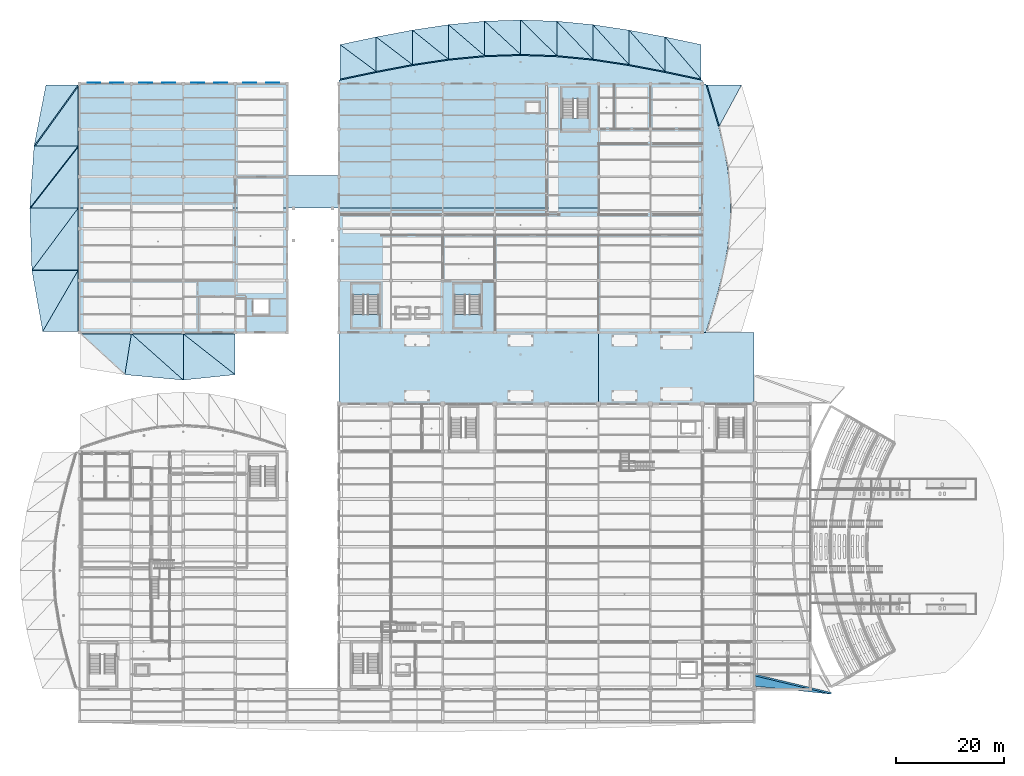
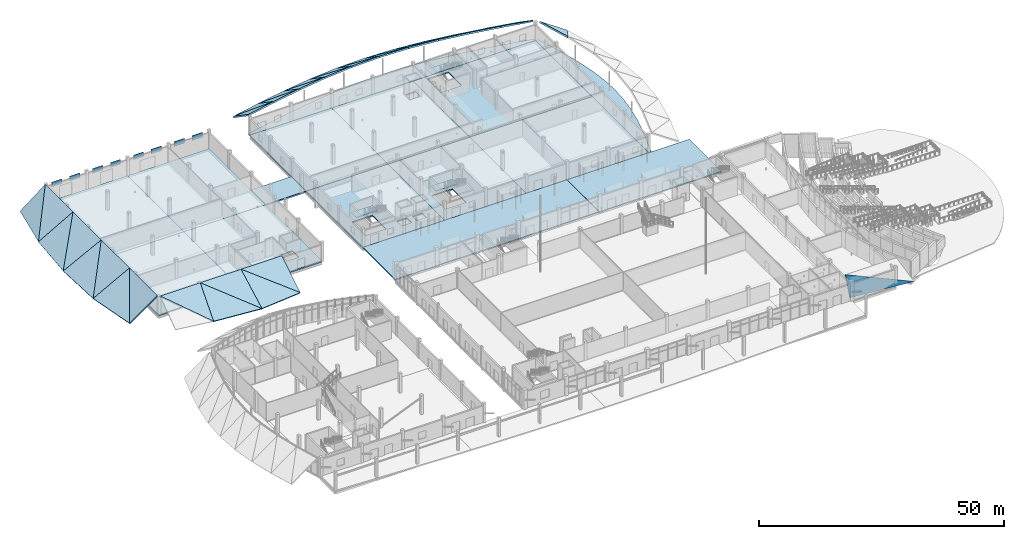
# One storey, part 68 of 116: 53 slabs, 8 plates, 3 elements without a shape of their own.
"""IFC4 building model written with IfcOpenShell, lengths in metres."""

import ifcopenshell
import ifcopenshell.guid

model = None  # the IFC model being written
_history = None  # IfcOwnerHistory: only IFC2X3 demands one
_inside = {}  # id of a spatial element -> (the spatial element, [elements in it])
_under = {}  # id of a project, library or spatial element -> (it, [spatial elements below it])
_declared = {}  # id of a project -> (the project, [libraries it declares])
_typed = {}  # id of a type object -> (the type object, [elements of that type])
_made_of = {}  # id of a material, layer set ... -> (it, [elements and type objects made of it])


def new_model(schema):
    """Start an empty IFC model of exactly this schema.

    Asked for "IFC4X3", IfcOpenShell would pick the latest addendum, in which some entities
    have other attributes; the version numbers below select the first issue.
    IFC2X3 requires an IfcOwnerHistory on every rooted entity: one is made here for all.
    """
    global model, _history
    if schema == "IFC4X3":
        model = ifcopenshell.file(schema_version=(4, 3, 0, 0))
    else:
        model = ifcopenshell.file(schema=schema)
    _inside.clear()
    _under.clear()
    _declared.clear()
    _typed.clear()
    _made_of.clear()
    _history = None
    if model.schema == "IFC2X3":
        org = make("IfcOrganization", Name="unknown")
        user = make(
            "IfcPersonAndOrganization",
            ThePerson=make("IfcPerson", FamilyName="unknown"),
            TheOrganization=org,
        )
        app = make(
            "IfcApplication",
            ApplicationDeveloper=org,
            Version="unknown",
            ApplicationFullName="unknown",
            ApplicationIdentifier="unknown",
        )
        _history = make(
            "IfcOwnerHistory",
            OwningUser=user,
            OwningApplication=app,
            ChangeAction="ADDED",
            CreationDate=0,
        )
    return model


def make(cls, **values):
    """One entity of the class cls with the attributes given. An attribute that is None is left unset."""
    return model.create_entity(
        cls, **{name: value for name, value in values.items() if value is not None}
    )


def rooted(cls, **values):
    """An entity with a GlobalId (a new one), such as an element, a storey or a relation."""
    return make(cls, GlobalId=ifcopenshell.guid.new(), OwnerHistory=_history, **values)


def si_unit(unit_type, name, prefix=None):
    """IfcSIUnit, for example si_unit("LENGTHUNIT", "METRE", prefix="MILLI")."""
    return make("IfcSIUnit", UnitType=unit_type, Prefix=prefix, Name=name)


def assignment(units):
    """IfcUnitAssignment: the units of a project."""
    return None if units is None else make("IfcUnitAssignment", Units=units)


def point(xyz):
    """IfcCartesianPoint."""
    return None if xyz is None else make("IfcCartesianPoint", Coordinates=xyz)


def direction(xyz):
    """IfcDirection."""
    return None if xyz is None else make("IfcDirection", DirectionRatios=xyz)


def frame(location, z_axis=None, x_axis=None):
    """IfcAxis2Placement3D, a coordinate frame: its origin and axes. An axis left out is left unset."""
    return make(
        "IfcAxis2Placement3D",
        Location=point(location),
        Axis=direction(z_axis),
        RefDirection=direction(x_axis),
    )


def frame_2d(location, x_axis=None):
    """IfcAxis2Placement2D, a coordinate frame in the plane: its origin and x axis."""
    return make(
        "IfcAxis2Placement2D", Location=point(location), RefDirection=direction(x_axis)
    )


def origin():
    """The frame at (0, 0, 0) with its axes left unset."""
    return frame((0.0, 0.0, 0.0))


def origin_2d():
    """The frame at (0, 0) in the plane with its x axis left unset."""
    return frame_2d((0.0, 0.0))


def place(relative_to, where):
    """IfcLocalPlacement: puts the frame where relative to a parent placement (None: the world)."""
    return make(
        "IfcLocalPlacement", PlacementRelTo=relative_to, RelativePlacement=where
    )


def context(
    kind, dimensions, precision=None, world=None, true_north=None, identifier=None
):
    """IfcGeometricRepresentationContext, for example the 3D "Model" context."""
    return make(
        "IfcGeometricRepresentationContext",
        ContextIdentifier=identifier,
        ContextType=kind,
        CoordinateSpaceDimension=dimensions,
        Precision=precision,
        WorldCoordinateSystem=world,
        TrueNorth=true_north,
    )


def subcontext(parent, identifier, kind, view, scale=None):
    """IfcGeometricRepresentationSubContext, for example "Body" below "Model"."""
    return make(
        "IfcGeometricRepresentationSubContext",
        ContextIdentifier=identifier,
        ContextType=kind,
        ParentContext=parent,
        TargetScale=scale,
        TargetView=view,
    )


def project(units=None, contexts=None):
    """IfcProject with its units and contexts."""
    return rooted(
        "IfcProject",
        Name="project",
        RepresentationContexts=contexts,
        UnitsInContext=assignment(units),
    )


def spatial(cls, under=None, at=None, **own):
    """A site, building, storey or space (cls), placed at a placement, below another one or the project."""
    s = rooted(cls, ObjectPlacement=at, **own)
    if under is not None:
        _under.setdefault(under.id(), (under, []))[1].append(s)
    return s


def polyline(points):
    """IfcPolyline through the points."""
    return make("IfcPolyline", Points=[point(p) for p in points])


def profile(cls, at=None, kind="AREA", **sizes):
    """A parametric profile (cls). Its sizes go by their IFC names, for example OverallWidth=200.0."""
    return make(cls, ProfileType=kind, Position=at, **sizes)


def rectangle(**sizes):
    """IfcRectangleProfileDef."""
    return profile("IfcRectangleProfileDef", **sizes)


def outline(outer, holes=None, kind="AREA"):
    """IfcArbitraryClosedProfileDef: a profile drawn as a closed curve; with holes, ...WithVoids."""
    if holes is None:
        return make("IfcArbitraryClosedProfileDef", ProfileType=kind, OuterCurve=outer)
    return make(
        "IfcArbitraryProfileDefWithVoids",
        ProfileType=kind,
        OuterCurve=outer,
        InnerCurves=holes,
    )


def extrude(swept, where, along, depth):
    """IfcExtrudedAreaSolid: the profile swept, set in the frame where, extruded along a direction by depth."""
    return make(
        "IfcExtrudedAreaSolid",
        SweptArea=swept,
        Position=where,
        ExtrudedDirection=direction(along),
        Depth=depth,
    )


def shape(context_of_items, identifier, shape_type, items):
    """IfcShapeRepresentation: the items that make up one representation, for example the "Body"."""
    return make(
        "IfcShapeRepresentation",
        ContextOfItems=context_of_items,
        RepresentationIdentifier=identifier,
        RepresentationType=shape_type,
        Items=items,
    )


def material(Name=None, Category=None):
    """IfcMaterial."""
    return make("IfcMaterial", Name=Name, Category=Category)


def layer(
    of_material, thickness, ventilated=None, Name=None, Category=None, Priority=None
):
    """IfcMaterialLayer: one layer of a wall or slab, of a material (None: an air gap)."""
    return make(
        "IfcMaterialLayer",
        Material=of_material,
        LayerThickness=thickness,
        IsVentilated=ventilated,
        Name=Name,
        Category=Category,
        Priority=Priority,
    )


def layer_set(layers, Name=None):
    """IfcMaterialLayerSet."""
    return make("IfcMaterialLayerSet", MaterialLayers=layers, LayerSetName=Name)


def made_of(thing, what):
    """Note that an element or type object is made of a material, layer set ...; save() writes the relation."""
    if what is not None:
        _made_of.setdefault(what.id(), (what, []))[1].append(thing)
    return thing


def type_object(cls, material=None, **own):
    """A type object (cls), such as IfcWallType, which elements share."""
    return made_of(rooted(cls, **own), material)


def element(
    cls,
    number,
    at=None,
    inside=None,
    cuts=None,
    type_object=None,
    material=None,
    context=None,
    identifier="Body",
    shape_type=None,
    held_by="IfcProductDefinitionShape",
    body=None,
    shapes=None,
    **own,
):
    """One element of the class cls, such as IfcWall. Its Tag is "e" and its number.

    at: its placement. inside: the storey or other place that contains it. cuts: it is an
    opening in that element (IfcRelVoidsElement). A single representation is given by context,
    identifier, shape_type and body (its items); several are given by shapes. held_by: the class
    of the entity that holds the representations. save() writes the other relations.
    """
    e = rooted(cls, Tag="e%d" % number, ObjectPlacement=at, **own)
    if body is not None:
        shapes = [shape(context, identifier, shape_type, body)]
    if shapes is not None:
        e.Representation = make(held_by, Representations=shapes)
    if inside is not None:
        _inside.setdefault(inside.id(), (inside, []))[1].append(e)
    if cuts is not None:
        rooted(
            "IfcRelVoidsElement", RelatingBuildingElement=cuts, RelatedOpeningElement=e
        )
    if type_object is not None:
        _typed.setdefault(type_object.id(), (type_object, []))[1].append(e)
    return made_of(e, material)


def aggregate(whole, parts):
    """IfcRelAggregates: a whole, such as a stair, and the parts it consists of."""
    return rooted("IfcRelAggregates", RelatingObject=whole, RelatedObjects=parts)


def save(model, path):
    """Write the relations noted so far, then the file.

    IfcRelAggregates (storeys below a building ...), IfcRelContainedInSpatialStructure (elements
    in a storey), IfcRelDefinesByType, IfcRelAssociatesMaterial and IfcRelDeclares: one each for
    every whole, place, type object, material and project.
    """
    for whole, parts in _under.values():
        aggregate(whole, parts)
    for where, things in _inside.values():
        rooted(
            "IfcRelContainedInSpatialStructure",
            RelatedElements=things,
            RelatingStructure=where,
        )
    for kind, things in _typed.values():
        rooted("IfcRelDefinesByType", RelatedObjects=things, RelatingType=kind)
    for what, things in _made_of.values():
        rooted("IfcRelAssociatesMaterial", RelatedObjects=things, RelatingMaterial=what)
    for by, libraries in _declared.values():
        rooted("IfcRelDeclares", RelatingContext=by, RelatedDefinitions=libraries)
    model.write(path)


model = new_model("IFC4")

# Units and contexts
model_context = context("Model", 3, precision=1e-05, world=origin(), true_north=direction((0.0, 1.0)))
body_context = subcontext(model_context, "Body", "Model", "MODEL_VIEW")
ifc_project = project(units=[si_unit("LENGTHUNIT", "METRE"), si_unit("AREAUNIT", "SQUARE_METRE"), si_unit("VOLUMEUNIT", "CUBIC_METRE"), si_unit("PLANEANGLEUNIT", "RADIAN"), si_unit("MASSUNIT", "GRAM", prefix="KILO")], contexts=[model_context])

# Site, building, storey
site_placement = place(None, origin())
site = spatial("IfcSite", under=ifc_project, at=site_placement, CompositionType="ELEMENT")
building_placement = place(site_placement, origin())
building = spatial("IfcBuilding", under=site, at=building_placement, Name="Chalmorin Arch Market", CompositionType="ELEMENT")
storey_placement = place(building_placement, origin())
storey = spatial("IfcBuildingStorey", under=building, at=storey_placement, Name="L00", CompositionType="ELEMENT", Elevation=0.0)

# Slabs
ifc_material_1 = material(Name="Concrete C40/50", Category="concrete")
ifc_layer_1 = layer(ifc_material_1, 0.340087890625)
ifc_layer_set_1 = layer_set([ifc_layer_1], Name="Concrete C40/50")
slab_type_1 = type_object("IfcSlabType", Name="GreenMoundDeckSlab-340", PredefinedType="FLOOR", material=ifc_layer_set_1)
slab_1_placement = place(storey_placement, frame((19.199951171875, 71.75, 4.780029296875), z_axis=(0.04929349976, -0.473222411519, 0.879562789184), x_axis=(0.0, -0.880633342977, -0.473798390919)))
element("IfcSlab", 1, at=slab_1_placement, inside=storey, type_object=slab_type_1, Name="ETS-340-630", PredefinedType="FLOOR", context=body_context, shape_type="SweptSolid", body=[
    extrude(outline(polyline([(0.0, 0.0), (9.708976949728454, 2.7755575615628914e-17), (8.828343606751558, 9.611782349011763), (0.0, 0.0)])), origin(), (0.0, 0.0, -1.0), 0.340087890625),
])
slab_2_placement = place(storey_placement, frame((28.800048828125, 71.75, 4.780029296875), z_axis=(0.0, -0.520311334044, 0.853976648197), x_axis=(-1.0, 0.0, 0.0)))
element("IfcSlab", 2, at=slab_2_placement, inside=storey, type_object=slab_type_1, Name="ETS-340-631", PredefinedType="FLOOR", context=body_context, shape_type="SweptSolid", body=[
    extrude(outline(polyline([(0.0, 0.0), (9.60009765625, 0.0), (0.0, 8.841048340220093), (0.0, 0.0)])), origin(), (0.0, 0.0, -1.0), 0.340087890625),
])
slab_3_placement = place(storey_placement, frame((9.60009765625, 71.75, 4.780029296875), z_axis=(-0.047610063154, -0.514191006768, 0.856353250969), x_axis=(-0.134518752667, -0.846214895489, -0.515582249339)))
element("IfcSlab", 3, at=slab_3_placement, inside=storey, type_object=slab_type_1, Name="ETS-340-632", PredefinedType="FLOOR", context=body_context, shape_type="SweptSolid", body=[
    extrude(outline(polyline([(0.0, 0.0), (8.922141253211327, 1.942890293094024e-16), (8.315547051599268, 10.829270435465855), (0.0, 0.0)])), origin(), (0.0, 0.0, -1.0), 0.340087890625),
])
slab_4_placement = place(storey_placement, frame((19.199951171875, 71.75, 4.780029296875), z_axis=(0.0, -0.473798390919, 0.880633342977), x_axis=(-1.0, 0.0, 0.0)))
element("IfcSlab", 4, at=slab_4_placement, inside=storey, type_object=slab_type_1, Name="ETS-340-633", PredefinedType="FLOOR", context=body_context, shape_type="SweptSolid", body=[
    extrude(outline(polyline([(0.0, 0.0), (9.599853515625, 0.0), (0.0, 9.708976949728452), (0.0, 0.0)])), origin(), (0.0, 0.0, -1.0), 0.340087890625),
])
slab_5_placement = place(storey_placement, frame((9.60009765625, 71.75, 4.780029296875), z_axis=(0.0, -0.520311334044, 0.853976648197), x_axis=(-1.0, 0.0, 0.0)))
element("IfcSlab", 5, at=slab_5_placement, inside=storey, type_object=slab_type_1, Name="ETS-340-635", PredefinedType="FLOOR", context=body_context, shape_type="SweptSolid", body=[
    extrude(outline(polyline([(0.0, 0.0), (9.400146484375, 0.0), (1.2001953125, 8.841048340220091), (0.0, 0.0)])), origin(), (0.0, 0.0, -1.0), 0.340087890625),
])
slab_6_placement = place(storey_placement, frame((-0.25, 83.5, 4.780029296875), z_axis=(-0.472141221387, -0.083564456856, 0.877553216972), x_axis=(-0.880633342977, 0.0, -0.473798390919)))
element("IfcSlab", 6, at=slab_6_placement, inside=storey, type_object=slab_type_1, Name="ETS-340-636", PredefinedType="FLOOR", context=body_context, shape_type="SweptSolid", body=[
    extrude(outline(polyline([(0.0, 0.0), (9.708976949728454, 5.551115123125783e-17), (7.9477102637746615, 11.339710894857882), (0.0, 0.0)])), origin(), (0.0, 0.0, -1.0), 0.340087890625),
])
slab_7_placement = place(storey_placement, frame((-0.25, 72.199951171875, 4.780029296875), z_axis=(-0.574724745488, 0.0, 0.818346788913), x_axis=(0.0, 1.0, 0.0)))
element("IfcSlab", 7, at=slab_7_placement, inside=storey, type_object=slab_type_1, Name="ETS-340-637", PredefinedType="FLOOR", context=body_context, shape_type="SweptSolid", body=[
    extrude(outline(polyline([(0.0, 0.0), (11.300048828125, 0.0), (0.0, 8.00400138042582), (0.0, 0.0)])), origin(), (0.0, 0.0, -1.0), 0.340087890625),
])
slab_8_placement = place(storey_placement, frame((-0.25, 95.0, 4.780029296875), z_axis=(-0.457075361393, -0.015894392025, 0.889285939566), x_axis=(-0.889398291763, 0.0, -0.457133108197)))
element("IfcSlab", 8, at=slab_8_placement, inside=storey, type_object=slab_type_1, Name="ETS-340-638", PredefinedType="FLOOR", context=body_context, shape_type="SweptSolid", body=[
    extrude(outline(polyline([(0.0, 0.0), (10.062928223235195, 0.0), (9.707255761832087, 11.501452907556342), (0.0, 0.0)])), origin(), (0.0, 0.0, -1.0), 0.340087890625),
])
slab_9_placement = place(storey_placement, frame((-0.25, 83.5, 4.780029296875), z_axis=(-0.473798390919, 0.0, 0.880633342977), x_axis=(0.0, 1.0, 0.0)))
element("IfcSlab", 9, at=slab_9_placement, inside=storey, type_object=slab_type_1, Name="ETS-340-639", PredefinedType="FLOOR", context=body_context, shape_type="SweptSolid", body=[
    extrude(outline(polyline([(0.0, 0.0), (11.5, 0.0), (0.0, 9.708976949728454), (0.0, 0.0)])), origin(), (0.0, 0.0, -1.0), 0.340087890625),
])
slab_10_placement = place(storey_placement, frame((-0.25, 106.5, 4.780029296875), z_axis=(-0.491254250746, 0.034176294576, 0.870345472794), x_axis=(-0.87085420857, 0.0, -0.491541399493)))
element("IfcSlab", 10, at=slab_10_placement, inside=storey, type_object=slab_type_1, Name="ETS-340-640", PredefinedType="FLOOR", context=body_context, shape_type="SweptSolid", body=[
    extrude(outline(polyline([(0.0, 0.0), (9.358515195248575, -2.7755575615628914e-17), (10.055241084282855, 11.50672199902881), (0.0, 0.0)])), origin(), (0.0, 0.0, -1.0), 0.340087890625),
])
slab_11_placement = place(storey_placement, frame((-0.25, 95.0, 4.780029296875), z_axis=(-0.457133108197, 0.0, 0.889398291763), x_axis=(0.0, 1.0, 0.0)))
element("IfcSlab", 11, at=slab_11_placement, inside=storey, type_object=slab_type_1, Name="ETS-340-641", PredefinedType="FLOOR", context=body_context, shape_type="SweptSolid", body=[
    extrude(outline(polyline([(0.0, 0.0), (11.5, 0.0), (0.0, 10.062928223235193), (0.0, 0.0)])), origin(), (0.0, 0.0, -1.0), 0.340087890625),
])
slab_12_placement = place(storey_placement, frame((-0.25, 117.800048828125, 4.780029296875), z_axis=(-0.607357037064, 0.118243367419, 0.785579999485), x_axis=(-0.791130057347, 0.0, -0.611647964406)))
element("IfcSlab", 12, at=slab_12_placement, inside=storey, type_object=slab_type_1, Name="ETS-340-642", PredefinedType="FLOOR", context=body_context, shape_type="SweptSolid", body=[
    extrude(outline(polyline([(0.0, 0.0), (7.5208255793319285, -1.1102230246251565e-16), (9.26127307609839, 11.37988274050496), (0.0, 0.0)])), origin(), (0.0, 0.0, -1.0), 0.340087890625),
])
slab_13_placement = place(storey_placement, frame((-0.25, 106.5, 4.780029296875), z_axis=(-0.491541399493, 0.0, 0.87085420857), x_axis=(0.0, 1.0, 0.0)))
element("IfcSlab", 13, at=slab_13_placement, inside=storey, type_object=slab_type_1, Name="ETS-340-643", PredefinedType="FLOOR", context=body_context, shape_type="SweptSolid", body=[
    extrude(outline(polyline([(0.0, 0.0), (11.300048828125, 0.0), (0.0, 9.358515195248575), (0.0, 0.0)])), origin(), (0.0, 0.0, -1.0), 0.340087890625),
])
slab_14_placement = place(storey_placement, frame((124.85009765625, 8.5, 4.780029296875), z_axis=(-0.097268646964, -0.919888465473, 0.379926336817), x_axis=(0.0, -0.381736469065, -0.924271209216)))
element("IfcSlab", 14, at=slab_14_placement, inside=storey, type_object=slab_type_1, Name="ETS-340-646", PredefinedType="FLOOR", context=body_context, shape_type="SweptSolid", body=[
    extrude(outline(polyline([(0.0, 0.0), (4.976999835525765, 0.0), (5.549604539123056, 14.253378216844077), (0.0, 0.0)])), origin(), (0.0, 0.0, -1.0), 0.340087890625),
])
slab_15_placement = place(storey_placement, frame((54.8798828125, 120.283935546875, 4.580078125), z_axis=(-0.119205962895, 0.564289680063, 0.816925391566), x_axis=(0.0, 0.82279227276, -0.56834221723)))
element("IfcSlab", 15, at=slab_15_placement, inside=storey, type_object=slab_type_1, Name="ETS-340-648", PredefinedType="FLOOR", context=body_context, shape_type="SweptSolid", body=[
    extrude(outline(polyline([(0.0, 0.0), (7.742072207519159, -1.1102230246251565e-16), (6.581003033555475, 6.727904644925376), (0.0, 0.0)])), origin(), (0.0, 0.0, -1.0), 0.340087890625),
])
slab_16_placement = place(storey_placement, frame((48.199951171875, 118.873046875, 4.580078125), z_axis=(-0.119188680556, 0.564305500728, 0.816916984935), x_axis=(0.978414123916, 0.20665382194, 0.0)))
element("IfcSlab", 16, at=slab_16_placement, inside=storey, type_object=slab_type_1, Name="ETS-340-649", PredefinedType="FLOOR", context=body_context, shape_type="SweptSolid", body=[
    extrude(outline(polyline([(0.0, 0.0), (6.827305000353229, 0.0), (1.3163586104111145, 7.629139645206319), (0.0, 0.0)])), origin(), (0.0, 0.0, -1.0), 0.340087890625),
])
slab_17_placement = place(storey_placement, frame((61.56005859375, 121.554931640625, 4.580078125), z_axis=(-0.107508259798, 0.565048214485, 0.818023526179), x_axis=(0.0, 0.82279227276, -0.56834221723)))
element("IfcSlab", 17, at=slab_17_placement, inside=storey, type_object=slab_type_1, Name="ETS-340-650", PredefinedType="FLOOR", context=body_context, shape_type="SweptSolid", body=[
    extrude(outline(polyline([(0.0, 0.0), (7.742072207519159, -5.551115123125783e-17), (6.6963064428729755, 6.71911850648735), (0.0, 0.0)])), origin(), (0.0, 0.0, -1.0), 0.340087890625),
])
slab_18_placement = place(storey_placement, frame((54.8798828125, 120.283935546875, 4.580078125), z_axis=(-0.107508259798, 0.565048214485, 0.818023526179), x_axis=(0.982376884196, 0.186910827393, 0.0)))
element("IfcSlab", 18, at=slab_18_placement, inside=storey, type_object=slab_type_1, Name="ETS-340-651", PredefinedType="FLOOR", context=body_context, shape_type="SweptSolid", body=[
    extrude(outline(polyline([(0.0, 0.0), (6.800013201364157, 0.0), (1.1906438741057166, 7.649970537949486), (0.0, 0.0)])), origin(), (0.0, 0.0, -1.0), 0.340087890625),
])
slab_19_placement = place(storey_placement, frame((68.239990234375, 122.56201171875, 4.580078125), z_axis=(-0.085353263066, 0.566282888154, 0.819779550287), x_axis=(0.0, 0.822782086388, -0.568356963817)))
element("IfcSlab", 19, at=slab_19_placement, inside=storey, type_object=slab_type_1, Name="ETS-340-652", PredefinedType="FLOOR", context=body_context, shape_type="SweptSolid", body=[
    extrude(outline(polyline([(0.0, 0.0), (7.74187133174288, 0.0), (6.913464758436713, 6.704397652121154), (0.0, 0.0)])), origin(), (0.0, 0.0, -1.0), 0.340087890625),
])
slab_20_placement = place(storey_placement, frame((61.56005859375, 121.554931640625, 4.580078125), z_axis=(-0.085371609986, 0.566267302017, 0.81978840616), x_axis=(0.98882553772, 0.149077348894, 0.0)))
element("IfcSlab", 20, at=slab_20_placement, inside=storey, type_object=slab_type_1, Name="ETS-340-653", PredefinedType="FLOOR", context=body_context, shape_type="SweptSolid", body=[
    extrude(outline(polyline([(0.0, 0.0), (6.75541982464297, 1.1102230246251565e-16), (0.9496401824577875, 7.683610192500796), (0.0, 0.0)])), origin(), (0.0, 0.0, -1.0), 0.340087890625),
])
slab_21_placement = place(storey_placement, frame((74.919921875, 123.2080078125, 4.580078125), z_axis=(-0.054881255154, 0.567500386344, 0.821542061816), x_axis=(0.0, 0.822782086388, -0.568356963817)))
element("IfcSlab", 21, at=slab_21_placement, inside=storey, type_object=slab_type_1, Name="ETS-340-654", PredefinedType="FLOOR", context=body_context, shape_type="SweptSolid", body=[
    extrude(outline(polyline([(0.0, 0.0), (7.74187133174288, -2.7755575615628914e-17), (7.210357317929079, 6.690014239871453), (0.0, 0.0)])), origin(), (0.0, 0.0, -1.0), 0.340087890625),
])
slab_22_placement = place(storey_placement, frame((68.239990234375, 122.56201171875, 4.580078125), z_axis=(-0.054881255154, 0.567500386344, 0.821542061816), x_axis=(0.995356424494, 0.096257925486, 0.0)))
element("IfcSlab", 22, at=slab_22_placement, inside=storey, type_object=slab_type_1, Name="ETS-340-655", PredefinedType="FLOOR", context=body_context, shape_type="SweptSolid", body=[
    extrude(outline(polyline([(0.0, 0.0), (6.711095117532105, 0.0), (0.6131507650986553, 7.717552582037987), (0.0, 0.0)])), origin(), (0.0, 0.0, -1.0), 0.340087890625),
])
slab_23_placement = place(storey_placement, frame((81.60009765625, 123.429931640625, 4.580078125), z_axis=(-0.018898437677, 0.568240716186, 0.822645329119), x_axis=(0.0, 0.82279227276, -0.56834221723)))
element("IfcSlab", 23, at=slab_23_placement, inside=storey, type_object=slab_type_1, Name="ETS-340-656", PredefinedType="FLOOR", context=body_context, shape_type="SweptSolid", body=[
    extrude(outline(polyline([(0.0, 0.0), (7.742072207519159, 0.0), (7.55927411957678, 6.681369016435341), (0.0, 0.0)])), origin(), (0.0, 0.0, -1.0), 0.340087890625),
])
slab_24_placement = place(storey_placement, frame((74.919921875, 123.2080078125, 4.580078125), z_axis=(-0.018878167207, 0.568255677788, 0.822635459644), x_axis=(0.999448630431, 0.033202938567, 0.0)))
element("IfcSlab", 24, at=slab_24_placement, inside=storey, type_object=slab_type_1, Name="ETS-340-657", PredefinedType="FLOOR", context=body_context, shape_type="SweptSolid", body=[
    extrude(outline(polyline([(0.0, 0.0), (6.683861058840819, 0.0), (0.21149850345302104, 7.738981851658485), (0.0, 0.0)])), origin(), (0.0, 0.0, -1.0), 0.340087890625),
])
slab_25_placement = place(storey_placement, frame((88.280029296875, 123.2080078125, 4.580078125), z_axis=(0.018899618332, 0.568255447456, 0.822635126204), x_axis=(0.0, 0.822782086388, -0.568356963817)))
element("IfcSlab", 25, at=slab_25_placement, inside=storey, type_object=slab_type_1, Name="ETS-340-658", PredefinedType="FLOOR", context=body_context, shape_type="SweptSolid", body=[
    extrude(outline(polyline([(0.0, 0.0), (7.74187133174288, 0.0), (7.924667156599479, 6.681124981331851), (0.0, 0.0)])), origin(), (0.0, 0.0, -1.0), 0.340087890625),
])
slab_26_placement = place(storey_placement, frame((81.60009765625, 123.429931640625, 4.580078125), z_axis=(0.018878367271, 0.568240931682, 0.822645641094), x_axis=(0.99944859016, -0.033204150742, 0.0)))
element("IfcSlab", 26, at=slab_26_placement, inside=storey, type_object=slab_type_1, Name="ETS-340-659", PredefinedType="FLOOR", context=body_context, shape_type="SweptSolid", body=[
    extrude(outline(polyline([(0.0, 0.0), (6.683617052832445, 0.0), (-0.21151433133886027, 7.739182369868207), (0.0, 0.0)])), origin(), (0.0, 0.0, -1.0), 0.340087890625),
])
slab_27_placement = place(storey_placement, frame((94.9599609375, 122.56201171875, 4.580078125), z_axis=(0.054881255154, 0.567500386344, 0.821542061816), x_axis=(0.0, 0.822782086388, -0.568356963817)))
element("IfcSlab", 27, at=slab_27_placement, inside=storey, type_object=slab_type_1, Name="ETS-340-660", PredefinedType="FLOOR", context=body_context, shape_type="SweptSolid", body=[
    extrude(outline(polyline([(0.0, 0.0), (7.74187133174288, 2.7755575615628914e-17), (8.273385345556683, 6.690014239871453), (0.0, 0.0)])), origin(), (0.0, 0.0, -1.0), 0.340087890625),
])
slab_28_placement = place(storey_placement, frame((88.280029296875, 123.2080078125, 4.580078125), z_axis=(0.054881255154, 0.567500386344, 0.821542061816), x_axis=(0.995356424494, -0.096257925486, 0.0)))
element("IfcSlab", 28, at=slab_28_placement, inside=storey, type_object=slab_type_1, Name="ETS-340-661", PredefinedType="FLOOR", context=body_context, shape_type="SweptSolid", body=[
    extrude(outline(polyline([(0.0, 0.0), (6.711095117532105, 0.0), (-0.6131507650986553, 7.717552582037987), (0.0, 0.0)])), origin(), (0.0, 0.0, -1.0), 0.340087890625),
])
slab_29_placement = place(storey_placement, frame((101.639892578125, 121.554931640625, 4.580078125), z_axis=(0.085351064623, 0.566268302415, 0.819789854443), x_axis=(0.0, 0.82279227276, -0.56834221723)))
element("IfcSlab", 29, at=slab_29_placement, inside=storey, type_object=slab_type_1, Name="ETS-340-662", PredefinedType="FLOOR", context=body_context, shape_type="SweptSolid", body=[
    extrude(outline(polyline([(0.0, 0.0), (7.742072207519159, 0.0), (8.570489036831656, 6.704396384863915), (0.0, 0.0)])), origin(), (0.0, 0.0, -1.0), 0.340087890625),
])
slab_30_placement = place(storey_placement, frame((94.9599609375, 122.56201171875, 4.580078125), z_axis=(0.08537380895, 0.566281887678, 0.819778101948), x_axis=(0.98882553772, -0.149077348894, 0.0)))
element("IfcSlab", 30, at=slab_30_placement, inside=storey, type_object=slab_type_1, Name="ETS-340-663", PredefinedType="FLOOR", context=body_context, shape_type="SweptSolid", body=[
    extrude(outline(polyline([(0.0, 0.0), (6.75541982464297, 0.0), (-0.9496037866206551, 7.683412286588426), (0.0, 0.0)])), origin(), (0.0, 0.0, -1.0), 0.340087890625),
])
slab_31_placement = place(storey_placement, frame((108.320068359375, 120.283935546875, 4.580078125), z_axis=(0.107508259798, 0.565048214485, 0.818023526179), x_axis=(0.0, 0.82279227276, -0.56834221723)))
element("IfcSlab", 31, at=slab_31_placement, inside=storey, type_object=slab_type_1, Name="ETS-340-664", PredefinedType="FLOOR", context=body_context, shape_type="SweptSolid", body=[
    extrude(outline(polyline([(0.0, 0.0), (7.742072207519159, 5.551115123125783e-17), (8.787837972165342, 6.719118506487351), (0.0, 0.0)])), origin(), (0.0, 0.0, -1.0), 0.340087890625),
])
slab_32_placement = place(storey_placement, frame((101.639892578125, 121.554931640625, 4.580078125), z_axis=(0.107508259798, 0.565048214485, 0.818023526179), x_axis=(0.982376884196, -0.186910827393, 0.0)))
element("IfcSlab", 32, at=slab_32_placement, inside=storey, type_object=slab_type_1, Name="ETS-340-665", PredefinedType="FLOOR", context=body_context, shape_type="SweptSolid", body=[
    extrude(outline(polyline([(0.0, 0.0), (6.800013201364157, 0.0), (-1.1906438741057166, 7.649970537949486), (0.0, 0.0)])), origin(), (0.0, 0.0, -1.0), 0.340087890625),
])
slab_33_placement = place(storey_placement, frame((115.0, 118.873046875, 4.580078125), z_axis=(0.119209011939, 0.564304113437, 0.816914976623), x_axis=(0.0, 0.822782086388, -0.568356963817)))
element("IfcSlab", 33, at=slab_33_placement, inside=storey, type_object=slab_type_1, Name="ETS-340-666", PredefinedType="FLOOR", context=body_context, shape_type="SweptSolid", body=[
    extrude(outline(polyline([(0.0, 0.0), (7.74187133174288, 0.0), (8.902926131381495, 6.727907125560913), (0.0, 0.0)])), origin(), (0.0, 0.0, -1.0), 0.340087890625),
])
slab_34_placement = place(storey_placement, frame((108.320068359375, 120.283935546875, 4.580078125), z_axis=(0.119185632017, 0.564291067247, 0.816927399801), x_axis=(0.978414123916, -0.20665382194, 0.0)))
element("IfcSlab", 34, at=slab_34_placement, inside=storey, type_object=slab_type_1, Name="ETS-340-667", PredefinedType="FLOOR", context=body_context, shape_type="SweptSolid", body=[
    extrude(outline(polyline([(0.0, 0.0), (6.827305000353229, 2.220446049250313e-16), (-1.3164090630043614, 7.62933478392976), (0.0, 0.0)])), origin(), (0.0, 0.0, -1.0), 0.340087890625),
])
slab_35_placement = place(storey_placement, frame((116.093017578125, 117.800048828125, 4.580078125), z_axis=(0.560320107491, 0.167574050779, 0.81114752952), x_axis=(0.286528956993, -0.958071582297, 0.0)))
element("IfcSlab", 35, at=slab_35_placement, inside=storey, type_object=slab_type_1, Name="ETS-340-669", PredefinedType="FLOOR", context=body_context, shape_type="SweptSolid", body=[
    extrude(outline(polyline([(0.0, 0.0), (7.932703356079376, 0.0), (1.8251530802970746, 7.523655225403699), (0.0, 0.0)])), origin(), (0.0, 0.0, -1.0), 0.340087890625),
])
ifc_layer_2 = layer(ifc_material_1, 0.320068359375)
ifc_layer_set_2 = layer_set([ifc_layer_2], Name="Concrete C40/50")
slab_type_2 = type_object("IfcSlabType", Name="KitchenHeavyFloorSlab-320", PredefinedType="FLOOR", material=ifc_layer_set_2)
slab_36_placement = place(storey_placement, frame((0.0, 0.0, -0.320068359375)))
element("IfcSlab", 36, at=slab_36_placement, inside=storey, type_object=slab_type_2, Name="FS-320-037", PredefinedType="FLOOR", context=body_context, shape_type="SweptSolid", body=[
    extrude(outline(polyline([(0.010009765625, 72.0), (19.18994140625, 72.0), (19.18994140625, 94.989990234375), (0.010009765625, 94.989990234375), (0.010009765625, 72.0)])), origin(), (0.0, 0.0, 1.0), 0.320068359375),
])
slab_37_placement = place(storey_placement, frame((0.0, 0.0, -0.320068359375)))
element("IfcSlab", 37, at=slab_37_placement, inside=storey, type_object=slab_type_2, Name="FS-320-038", PredefinedType="FLOOR", context=body_context, shape_type="SweptSolid", body=[
    extrude(outline(polyline([(0.010009765625, 95.010009765625), (19.18994140625, 95.010009765625), (19.18994140625, 118.0), (0.010009765625, 118.0), (0.010009765625, 95.010009765625)])), origin(), (0.0, 0.0, 1.0), 0.320068359375),
])
slab_38_placement = place(storey_placement, frame((0.0, 0.0, -0.320068359375)))
element("IfcSlab", 38, at=slab_38_placement, inside=storey, type_object=slab_type_2, Name="FS-320-039", PredefinedType="FLOOR", context=body_context, shape_type="SweptSolid", body=[
    extrude(outline(polyline([(19.2099609375, 72.0), (38.389892578125, 72.0), (38.389892578125, 94.989990234375), (19.2099609375, 94.989990234375), (19.2099609375, 72.0)]), holes=[polyline([(32.199951171875, 75.5), (35.0, 75.5), (35.0, 78.10009765625), (32.199951171875, 78.10009765625), (32.199951171875, 75.5)])]), origin(), (0.0, 0.0, 1.0), 0.320068359375),
])
slab_39_placement = place(storey_placement, frame((0.0, 0.0, -0.320068359375)))
element("IfcSlab", 39, at=slab_39_placement, inside=storey, type_object=slab_type_2, Name="FS-320-040", PredefinedType="FLOOR", context=body_context, shape_type="SweptSolid", body=[
    extrude(outline(polyline([(19.2099609375, 95.010009765625), (38.389892578125, 95.010009765625), (38.389892578125, 118.0), (19.2099609375, 118.0), (19.2099609375, 95.010009765625)])), origin(), (0.0, 0.0, 1.0), 0.320068359375),
])
slab_40_placement = place(storey_placement, frame((0.0, 0.0, -0.320068359375)))
element("IfcSlab", 40, at=slab_40_placement, inside=storey, type_object=slab_type_2, Name="FS-320-041", PredefinedType="FLOOR", context=body_context, shape_type="SweptSolid", body=[
    extrude(outline(polyline([(48.010009765625, 72.0), (67.18994140625, 72.0), (67.18994140625, 94.989990234375), (48.010009765625, 94.989990234375), (48.010009765625, 72.0)]), holes=[polyline([(50.5, 75.35009765625), (55.39990234375, 75.35009765625), (55.39990234375, 80.89990234375), (50.5, 80.89990234375), (50.5, 75.35009765625)]), polyline([(58.60009765625, 74.64990234375), (61.0, 74.64990234375), (61.0, 76.550048828125), (58.60009765625, 76.550048828125), (58.60009765625, 74.64990234375)]), polyline([(62.25, 74.72509765625), (64.550048828125, 74.72509765625), (64.550048828125, 76.47509765625), (62.25, 76.47509765625), (62.25, 74.72509765625)])]), origin(), (0.0, 0.0, 1.0), 0.320068359375),
])
slab_41_placement = place(storey_placement, frame((0.0, 0.0, -0.320068359375)))
element("IfcSlab", 41, at=slab_41_placement, inside=storey, type_object=slab_type_2, Name="FS-320-042", PredefinedType="FLOOR", context=body_context, shape_type="SweptSolid", body=[
    extrude(outline(polyline([(48.010009765625, 95.010009765625), (67.18994140625, 95.010009765625), (67.18994140625, 118.0), (48.010009765625, 118.0), (48.010009765625, 95.010009765625)])), origin(), (0.0, 0.0, 1.0), 0.320068359375),
])
ifc_layer_3 = layer(ifc_material_1, 0.300048828125)
ifc_layer_set_3 = layer_set([ifc_layer_3], Name="Concrete C40/50")
slab_type_3 = type_object("IfcSlabType", Name="OutdoorPlazaBaseSlab-300", PredefinedType="BASESLAB", material=ifc_layer_set_3)
slab_42_placement = place(storey_placement, frame((0.0, 0.0, -0.300048828125)))
element("IfcSlab", 42, at=slab_42_placement, inside=storey, type_object=slab_type_3, Name="EBS-300-050", PredefinedType="BASESLAB", context=body_context, shape_type="SweptSolid", body=[
    extrude(outline(polyline([(48.02001953125, 58.820068359375), (95.97998046875, 58.820068359375), (95.97998046875, 71.97998046875), (48.02001953125, 71.97998046875), (48.02001953125, 58.820068359375)])), origin(), (0.0, 0.0, 1.0), 0.300048828125),
])
slab_43_placement = place(storey_placement, frame((0.0, 0.0, -0.300048828125)))
element("IfcSlab", 43, at=slab_43_placement, inside=storey, type_object=slab_type_3, Name="EBS-300-051", PredefinedType="BASESLAB", context=body_context, shape_type="SweptSolid", body=[
    extrude(outline(polyline([(96.02001953125, 58.820068359375), (124.780029296875, 58.820068359375), (124.780029296875, 71.97998046875), (96.02001953125, 71.97998046875), (96.02001953125, 58.820068359375)])), origin(), (0.0, 0.0, 1.0), 0.300048828125),
])

# Plates
ifc_material_2 = material(Name="Weathering Steel A588", Category="steel")
ifc_layer_4 = layer(ifc_material_2, 0.050048828125)
ifc_layer_set_4 = layer_set([ifc_layer_4], Name="Weathering Steel A588")
plate_type = type_object("IfcPlateType", Name="PerforatedYardScreenPanel-2400x1200", PredefinedType="SHEET", material=ifc_layer_set_4)
for number, where, z_axis, x_axis, name in (
    (44, (2.68798828125, 118.197998046875, 3.25), (0.0, 0.0, 1.0), (1.0, 0.0, 0.0), "SCR-01-033"),
    (45, (6.912109375, 118.197998046875, 3.25), (0.0, 0.0, 1.0), (1.0, 0.0, 0.0), "SCR-01-034"),
    (46, (12.2880859375, 118.197998046875, 3.25), (0.0, 0.0, 1.0), (1.0, 0.0, 0.0), "SCR-01-035"),
    (47, (16.511962890625, 118.197998046875, 3.25), (0.0, 0.0, 1.0), (1.0, 0.0, 0.0), "SCR-01-036"),
    (48, (21.887939453125, 118.197998046875, 3.25), (0.0, 0.0, 1.0), (1.0, 0.0, 0.0), "SCR-01-037"),
    (49, (26.112060546875, 118.197998046875, 3.25), (0.0, 0.0, 1.0), (1.0, 0.0, 0.0), "SCR-01-038"),
    (50, (31.488037109375, 118.197998046875, 3.25), (0.0, 0.0, 1.0), (1.0, 0.0, 0.0), "SCR-01-039"),
    (51, (35.7119140625, 118.197998046875, 3.25), (0.0, 0.0, 1.0), (1.0, 0.0, 0.0), "SCR-01-040"),
):
    element("IfcPlate", number, at=place(storey_placement, frame(where, z_axis=z_axis, x_axis=x_axis)), inside=storey, type_object=plate_type, Name=name, PredefinedType="SHEET", context=body_context, shape_type="SweptSolid", body=[
        extrude(rectangle(XDim=2.39990234375, YDim=0.050048828125, at=origin_2d()), origin(), (0.0, 0.0, 1.0), 1.199951171875),
    ])

# Slab
ifc_layer_5 = layer(ifc_material_1, 0.35009765625)
ifc_layer_set_5 = layer_set([ifc_layer_5], Name="Concrete C40/50")
slab_type_4 = type_object("IfcSlabType", Name="PlinthGroundSlab-350", PredefinedType="BASESLAB", material=ifc_layer_set_5)
slab_44_placement = place(storey_placement, frame((0.0, 0.0, -0.35009765625)))
element("IfcSlab", 52, at=slab_44_placement, inside=storey, type_object=slab_type_4, Name="BS-350-TUN", PredefinedType="BASESLAB", context=body_context, shape_type="SweptSolid", body=[
    extrude(outline(polyline([(38.449951171875, 95.050048828125), (47.949951171875, 95.050048828125), (47.949951171875, 101.050048828125), (38.449951171875, 101.050048828125), (38.449951171875, 95.050048828125)])), origin(), (0.0, 0.0, 1.0), 0.35009765625),
])

# Stair, slab
stair_type_1 = type_object("IfcStairType", Name="DoglegExitStair-28R-SC5", PredefinedType="HALF_TURN_STAIR", material=ifc_material_1)
stair_1_placement = place(storey_placement, origin())
stair_1 = element("IfcStair", 53, at=stair_1_placement, inside=storey, type_object=stair_type_1, Name="ST-12", PredefinedType="HALF_TURN_STAIR")
ifc_layer_6 = layer(ifc_material_1, 0.195068359375)
ifc_layer_set_6 = layer_set([ifc_layer_6], Name="Concrete C40/50")
slab_type_5 = type_object("IfcSlabType", Name="StairLandingSlab-195", PredefinedType="LANDING", material=ifc_layer_set_6)
slab_45_placement = place(storey_placement, frame((0.0, 0.0, 2.205078125)))
slab_45 = element("IfcSlab", 54, at=slab_45_placement, type_object=slab_type_5, Name="LS-012", PredefinedType="LANDING", context=body_context, shape_type="SweptSolid", body=[
    extrude(outline(polyline([(50.419921875, 78.909912109375), (55.47998046875, 78.909912109375), (55.47998046875, 80.97998046875), (50.419921875, 80.97998046875), (50.419921875, 78.909912109375)])), origin(), (0.0, 0.0, 1.0), 0.19482421875),
])
aggregate(stair_1, [slab_45])

stair_type_2 = type_object("IfcStairType", Name="DoglegExitStair-28R-SC6", PredefinedType="HALF_TURN_STAIR", material=ifc_material_1)
stair_2_placement = place(storey_placement, origin())
stair_2 = element("IfcStair", 55, at=stair_2_placement, inside=storey, type_object=stair_type_2, Name="ST-16", PredefinedType="HALF_TURN_STAIR")
slab_46_placement = place(storey_placement, frame((0.0, 0.0, 2.205078125)))
slab_46 = element("IfcSlab", 56, at=slab_46_placement, type_object=slab_type_5, Name="LS-016", PredefinedType="LANDING", context=body_context, shape_type="SweptSolid", body=[
    extrude(outline(polyline([(89.219970703125, 115.2099609375), (94.280029296875, 115.2099609375), (94.280029296875, 117.280029296875), (89.219970703125, 117.280029296875), (89.219970703125, 115.2099609375)])), origin(), (0.0, 0.0, 1.0), 0.19482421875),
])
aggregate(stair_2, [slab_46])

stair_type_3 = type_object("IfcStairType", Name="DoglegExitStair-28R-SC7", PredefinedType="HALF_TURN_STAIR", material=ifc_material_1)
stair_3_placement = place(storey_placement, origin())
stair_3 = element("IfcStair", 57, at=stair_3_placement, inside=storey, type_object=stair_type_3, Name="ST-20", PredefinedType="HALF_TURN_STAIR")
slab_47_placement = place(storey_placement, frame((0.0, 0.0, 2.205078125)))
slab_47 = element("IfcSlab", 58, at=slab_47_placement, type_object=slab_type_5, Name="LS-020", PredefinedType="LANDING", context=body_context, shape_type="SweptSolid", body=[
    extrude(outline(polyline([(69.219970703125, 78.909912109375), (74.280029296875, 78.909912109375), (74.280029296875, 80.97998046875), (69.219970703125, 80.97998046875), (69.219970703125, 78.909912109375)])), origin(), (0.0, 0.0, 1.0), 0.19482421875),
])
aggregate(stair_3, [slab_47])

# Slabs
ifc_layer_7 = layer(ifc_material_1, 0.280029296875)
ifc_layer_set_7 = layer_set([ifc_layer_7], Name="Concrete C40/50")
slab_type_6 = type_object("IfcSlabType", Name="SuspendedFloorSlab-280", PredefinedType="FLOOR", material=ifc_layer_set_7)
slab_48_placement = place(storey_placement, frame((0.0, 0.0, -0.280029296875)))
element("IfcSlab", 59, at=slab_48_placement, inside=storey, type_object=slab_type_6, Name="FS-280-043", PredefinedType="FLOOR", context=body_context, shape_type="SweptSolid", body=[
    extrude(outline(polyline([(67.2099609375, 72.0), (86.389892578125, 72.0), (86.389892578125, 94.989990234375), (67.2099609375, 94.989990234375), (67.2099609375, 72.0)]), holes=[polyline([(69.300048828125, 75.35009765625), (74.199951171875, 75.35009765625), (74.199951171875, 80.89990234375), (69.300048828125, 80.89990234375), (69.300048828125, 75.35009765625)])]), origin(), (0.0, 0.0, 1.0), 0.280029296875),
])
slab_49_placement = place(storey_placement, frame((0.0, 0.0, -0.280029296875)))
element("IfcSlab", 60, at=slab_49_placement, inside=storey, type_object=slab_type_6, Name="FS-280-044", PredefinedType="FLOOR", context=body_context, shape_type="SweptSolid", body=[
    extrude(outline(polyline([(67.2099609375, 95.010009765625), (86.389892578125, 95.010009765625), (86.389892578125, 118.0), (67.2099609375, 118.0), (67.2099609375, 95.010009765625)]), holes=[polyline([(82.60009765625, 112.64990234375), (85.0, 112.64990234375), (85.0, 114.550048828125), (82.60009765625, 114.550048828125), (82.60009765625, 112.64990234375)])]), origin(), (0.0, 0.0, 1.0), 0.280029296875),
])
slab_50_placement = place(storey_placement, frame((0.0, 0.0, -0.280029296875)))
element("IfcSlab", 61, at=slab_50_placement, inside=storey, type_object=slab_type_6, Name="FS-280-045", PredefinedType="FLOOR", context=body_context, shape_type="SweptSolid", body=[
    extrude(outline(polyline([(86.409912109375, 72.0), (115.18994140625, 72.0), (115.18994140625, 94.989990234375), (86.409912109375, 94.989990234375), (86.409912109375, 72.0)])), origin(), (0.0, 0.0, 1.0), 0.280029296875),
])
slab_51_placement = place(storey_placement, frame((0.0, 0.0, -0.280029296875)))
element("IfcSlab", 62, at=slab_51_placement, inside=storey, type_object=slab_type_6, Name="FS-280-046", PredefinedType="FLOOR", context=body_context, shape_type="SweptSolid", body=[
    extrude(outline(polyline([(86.409912109375, 95.010009765625), (115.18994140625, 95.010009765625), (115.18994140625, 118.0), (86.409912109375, 118.0), (86.409912109375, 95.010009765625)]), holes=[polyline([(89.300048828125, 111.64990234375), (94.199951171875, 111.64990234375), (94.199951171875, 117.199951171875), (89.300048828125, 117.199951171875), (89.300048828125, 111.64990234375)])]), origin(), (0.0, 0.0, 1.0), 0.280029296875),
])
slab_52_placement = place(storey_placement, frame((0.0, 0.0, -0.280029296875)))
element("IfcSlab", 63, at=slab_52_placement, inside=storey, type_object=slab_type_6, Name="FS-280-132", PredefinedType="FLOOR", context=body_context, shape_type="SweptSolid", body=[
    extrude(outline(polyline([(48.0, 118.02001953125), (48.0, 118.64990234375), (52.800048828125, 119.674072265625), (57.60009765625, 120.64599609375), (62.39990234375, 121.51806640625), (67.199951171875, 122.24609375), (72.0, 122.7939453125), (76.800048828125, 123.135009765625), (81.60009765625, 123.25), (86.39990234375, 123.135009765625), (91.199951171875, 122.7939453125), (96.0, 122.24609375), (100.800048828125, 121.51806640625), (105.60009765625, 120.64599609375), (110.39990234375, 119.674072265625), (115.199951171875, 118.64990234375), (115.199951171875, 118.02001953125), (48.0, 118.02001953125)])), origin(), (0.0, 0.0, 1.0), 0.280029296875),
])
slab_53_placement = place(storey_placement, frame((0.0, 0.0, -0.280029296875)))
element("IfcSlab", 64, at=slab_53_placement, inside=storey, type_object=slab_type_6, Name="FS-280-133", PredefinedType="FLOOR", context=body_context, shape_type="SweptSolid", body=[
    extrude(outline(polyline([(115.219970703125, 72.0), (115.85009765625, 72.0), (117.041015625, 75.8330078125), (118.14990234375, 79.6669921875), (119.10302734375, 83.5), (119.833984375, 87.3330078125), (120.29296875, 91.1669921875), (120.449951171875, 95.0), (120.29296875, 98.8330078125), (119.833984375, 102.6669921875), (119.10302734375, 106.5), (118.14990234375, 110.3330078125), (117.041015625, 114.1669921875), (115.85009765625, 118.0), (115.219970703125, 118.0), (115.219970703125, 72.0)])), origin(), (0.0, 0.0, 1.0), 0.280029296875),
])

save(model, "model.ifc")
